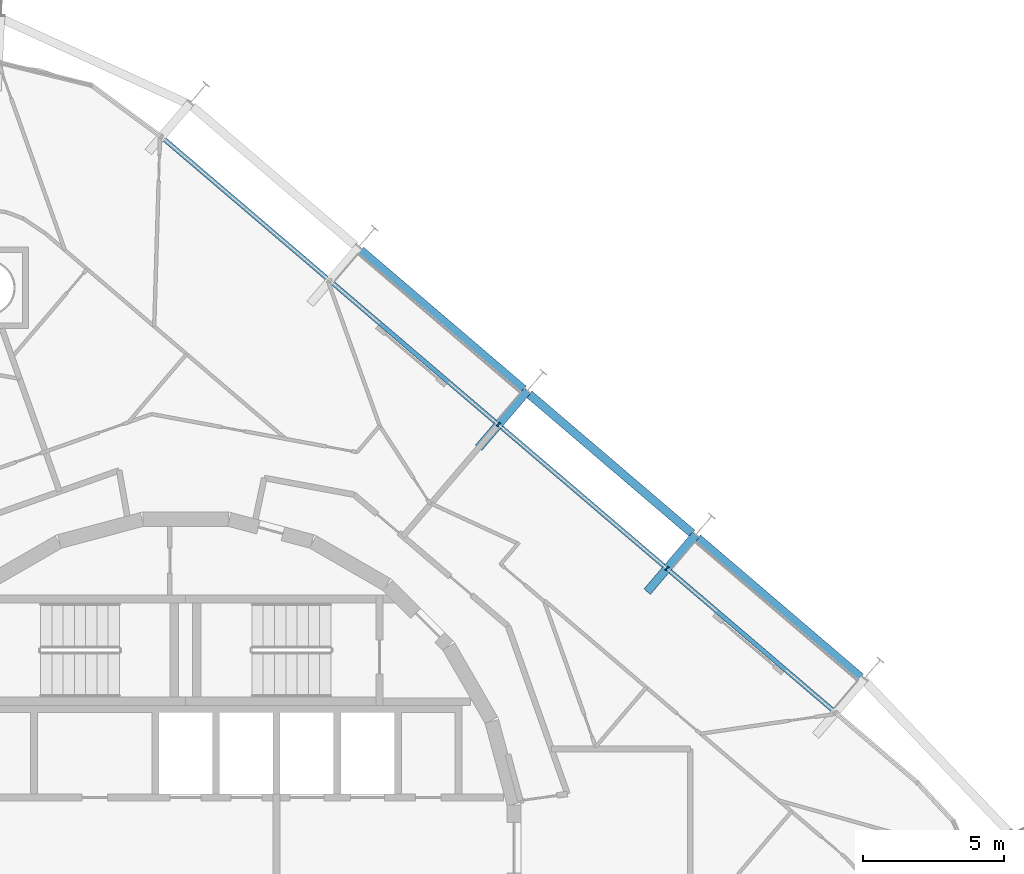
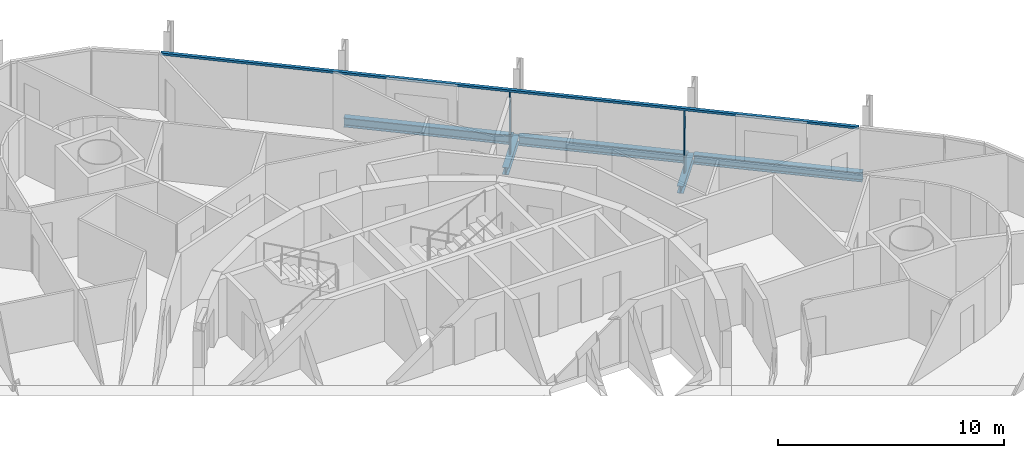
# One storey, part 8 of 17: 5 beams, 3 members, 1 element without a shape of its own.
"""IFC4 building model written with IfcOpenShell, lengths in metres."""

import ifcopenshell
import ifcopenshell.guid

model = None  # the IFC model being written
_history = None  # IfcOwnerHistory: only IFC2X3 demands one
_inside = {}  # id of a spatial element -> (the spatial element, [elements in it])
_under = {}  # id of a project, library or spatial element -> (it, [spatial elements below it])
_declared = {}  # id of a project -> (the project, [libraries it declares])
_typed = {}  # id of a type object -> (the type object, [elements of that type])
_made_of = {}  # id of a material, layer set ... -> (it, [elements and type objects made of it])


def new_model(schema):
    """Start an empty IFC model of exactly this schema.

    Asked for "IFC4X3", IfcOpenShell would pick the latest addendum, in which some entities
    have other attributes; the version numbers below select the first issue.
    IFC2X3 requires an IfcOwnerHistory on every rooted entity: one is made here for all.
    """
    global model, _history
    if schema == "IFC4X3":
        model = ifcopenshell.file(schema_version=(4, 3, 0, 0))
    else:
        model = ifcopenshell.file(schema=schema)
    _inside.clear()
    _under.clear()
    _declared.clear()
    _typed.clear()
    _made_of.clear()
    _history = None
    if model.schema == "IFC2X3":
        org = make("IfcOrganization", Name="unknown")
        user = make(
            "IfcPersonAndOrganization",
            ThePerson=make("IfcPerson", FamilyName="unknown"),
            TheOrganization=org,
        )
        app = make(
            "IfcApplication",
            ApplicationDeveloper=org,
            Version="unknown",
            ApplicationFullName="unknown",
            ApplicationIdentifier="unknown",
        )
        _history = make(
            "IfcOwnerHistory",
            OwningUser=user,
            OwningApplication=app,
            ChangeAction="ADDED",
            CreationDate=0,
        )
    return model


def make(cls, **values):
    """One entity of the class cls with the attributes given. An attribute that is None is left unset."""
    return model.create_entity(
        cls, **{name: value for name, value in values.items() if value is not None}
    )


def rooted(cls, **values):
    """An entity with a GlobalId (a new one), such as an element, a storey or a relation."""
    return make(cls, GlobalId=ifcopenshell.guid.new(), OwnerHistory=_history, **values)


def si_unit(unit_type, name, prefix=None):
    """IfcSIUnit, for example si_unit("LENGTHUNIT", "METRE", prefix="MILLI")."""
    return make("IfcSIUnit", UnitType=unit_type, Prefix=prefix, Name=name)


def assignment(units):
    """IfcUnitAssignment: the units of a project."""
    return None if units is None else make("IfcUnitAssignment", Units=units)


def point(xyz):
    """IfcCartesianPoint."""
    return None if xyz is None else make("IfcCartesianPoint", Coordinates=xyz)


def direction(xyz):
    """IfcDirection."""
    return None if xyz is None else make("IfcDirection", DirectionRatios=xyz)


def frame(location, z_axis=None, x_axis=None):
    """IfcAxis2Placement3D, a coordinate frame: its origin and axes. An axis left out is left unset."""
    return make(
        "IfcAxis2Placement3D",
        Location=point(location),
        Axis=direction(z_axis),
        RefDirection=direction(x_axis),
    )


def frame_2d(location, x_axis=None):
    """IfcAxis2Placement2D, a coordinate frame in the plane: its origin and x axis."""
    return make(
        "IfcAxis2Placement2D", Location=point(location), RefDirection=direction(x_axis)
    )


def origin():
    """The frame at (0, 0, 0) with its axes left unset."""
    return frame((0.0, 0.0, 0.0))


def origin_2d():
    """The frame at (0, 0) in the plane with its x axis left unset."""
    return frame_2d((0.0, 0.0))


def place(relative_to, where):
    """IfcLocalPlacement: puts the frame where relative to a parent placement (None: the world)."""
    return make(
        "IfcLocalPlacement", PlacementRelTo=relative_to, RelativePlacement=where
    )


def context(
    kind, dimensions, precision=None, world=None, true_north=None, identifier=None
):
    """IfcGeometricRepresentationContext, for example the 3D "Model" context."""
    return make(
        "IfcGeometricRepresentationContext",
        ContextIdentifier=identifier,
        ContextType=kind,
        CoordinateSpaceDimension=dimensions,
        Precision=precision,
        WorldCoordinateSystem=world,
        TrueNorth=true_north,
    )


def subcontext(parent, identifier, kind, view, scale=None):
    """IfcGeometricRepresentationSubContext, for example "Body" below "Model"."""
    return make(
        "IfcGeometricRepresentationSubContext",
        ContextIdentifier=identifier,
        ContextType=kind,
        ParentContext=parent,
        TargetScale=scale,
        TargetView=view,
    )


def project(units=None, contexts=None):
    """IfcProject with its units and contexts."""
    return rooted(
        "IfcProject",
        Name="project",
        RepresentationContexts=contexts,
        UnitsInContext=assignment(units),
    )


def spatial(cls, under=None, at=None, **own):
    """A site, building, storey or space (cls), placed at a placement, below another one or the project."""
    s = rooted(cls, ObjectPlacement=at, **own)
    if under is not None:
        _under.setdefault(under.id(), (under, []))[1].append(s)
    return s


def profile(cls, at=None, kind="AREA", **sizes):
    """A parametric profile (cls). Its sizes go by their IFC names, for example OverallWidth=200.0."""
    return make(cls, ProfileType=kind, Position=at, **sizes)


def rectangle(**sizes):
    """IfcRectangleProfileDef."""
    return profile("IfcRectangleProfileDef", **sizes)


def i_section(**sizes):
    """IfcIShapeProfileDef."""
    return profile("IfcIShapeProfileDef", **sizes)


def extrude(swept, where, along, depth):
    """IfcExtrudedAreaSolid: the profile swept, set in the frame where, extruded along a direction by depth."""
    return make(
        "IfcExtrudedAreaSolid",
        SweptArea=swept,
        Position=where,
        ExtrudedDirection=direction(along),
        Depth=depth,
    )


def shape(context_of_items, identifier, shape_type, items):
    """IfcShapeRepresentation: the items that make up one representation, for example the "Body"."""
    return make(
        "IfcShapeRepresentation",
        ContextOfItems=context_of_items,
        RepresentationIdentifier=identifier,
        RepresentationType=shape_type,
        Items=items,
    )


def material(Name=None, Category=None):
    """IfcMaterial."""
    return make("IfcMaterial", Name=Name, Category=Category)


def layer(
    of_material, thickness, ventilated=None, Name=None, Category=None, Priority=None
):
    """IfcMaterialLayer: one layer of a wall or slab, of a material (None: an air gap)."""
    return make(
        "IfcMaterialLayer",
        Material=of_material,
        LayerThickness=thickness,
        IsVentilated=ventilated,
        Name=Name,
        Category=Category,
        Priority=Priority,
    )


def layer_set(layers, Name=None):
    """IfcMaterialLayerSet."""
    return make("IfcMaterialLayerSet", MaterialLayers=layers, LayerSetName=Name)


def material_profile(
    of_material, cross_section, Name=None, Category=None, Priority=None
):
    """IfcMaterialProfile: a cross section and its material."""
    return make(
        "IfcMaterialProfile",
        Name=Name,
        Material=of_material,
        Profile=cross_section,
        Priority=Priority,
        Category=Category,
    )


def profile_set(profiles, Name=None, composite=None):
    """IfcMaterialProfileSet."""
    return make(
        "IfcMaterialProfileSet",
        Name=Name,
        MaterialProfiles=profiles,
        CompositeProfile=composite,
    )


def made_of(thing, what):
    """Note that an element or type object is made of a material, layer set ...; save() writes the relation."""
    if what is not None:
        _made_of.setdefault(what.id(), (what, []))[1].append(thing)
    return thing


def type_object(cls, material=None, **own):
    """A type object (cls), such as IfcWallType, which elements share."""
    return made_of(rooted(cls, **own), material)


def element(
    cls,
    number,
    at=None,
    inside=None,
    cuts=None,
    type_object=None,
    material=None,
    context=None,
    identifier="Body",
    shape_type=None,
    held_by="IfcProductDefinitionShape",
    body=None,
    shapes=None,
    **own,
):
    """One element of the class cls, such as IfcWall. Its Tag is "e" and its number.

    at: its placement. inside: the storey or other place that contains it. cuts: it is an
    opening in that element (IfcRelVoidsElement). A single representation is given by context,
    identifier, shape_type and body (its items); several are given by shapes. held_by: the class
    of the entity that holds the representations. save() writes the other relations.
    """
    e = rooted(cls, Tag="e%d" % number, ObjectPlacement=at, **own)
    if body is not None:
        shapes = [shape(context, identifier, shape_type, body)]
    if shapes is not None:
        e.Representation = make(held_by, Representations=shapes)
    if inside is not None:
        _inside.setdefault(inside.id(), (inside, []))[1].append(e)
    if cuts is not None:
        rooted(
            "IfcRelVoidsElement", RelatingBuildingElement=cuts, RelatedOpeningElement=e
        )
    if type_object is not None:
        _typed.setdefault(type_object.id(), (type_object, []))[1].append(e)
    return made_of(e, material)


def aggregate(whole, parts):
    """IfcRelAggregates: a whole, such as a stair, and the parts it consists of."""
    return rooted("IfcRelAggregates", RelatingObject=whole, RelatedObjects=parts)


def save(model, path):
    """Write the relations noted so far, then the file.

    IfcRelAggregates (storeys below a building ...), IfcRelContainedInSpatialStructure (elements
    in a storey), IfcRelDefinesByType, IfcRelAssociatesMaterial and IfcRelDeclares: one each for
    every whole, place, type object, material and project.
    """
    for whole, parts in _under.values():
        aggregate(whole, parts)
    for where, things in _inside.values():
        rooted(
            "IfcRelContainedInSpatialStructure",
            RelatedElements=things,
            RelatingStructure=where,
        )
    for kind, things in _typed.values():
        rooted("IfcRelDefinesByType", RelatedObjects=things, RelatingType=kind)
    for what, things in _made_of.values():
        rooted("IfcRelAssociatesMaterial", RelatedObjects=things, RelatingMaterial=what)
    for by, libraries in _declared.values():
        rooted("IfcRelDeclares", RelatingContext=by, RelatedDefinitions=libraries)
    model.write(path)


model = new_model("IFC4")

# Units and contexts
model_context = context("Model", 3, precision=1e-05, world=origin(), true_north=direction((0.0, 1.0)))
body_context = subcontext(model_context, "Body", "Model", "MODEL_VIEW")
ifc_project = project(units=[si_unit("LENGTHUNIT", "METRE"), si_unit("AREAUNIT", "SQUARE_METRE"), si_unit("VOLUMEUNIT", "CUBIC_METRE"), si_unit("PLANEANGLEUNIT", "RADIAN"), si_unit("MASSUNIT", "GRAM", prefix="KILO")], contexts=[model_context])

# Site, building, storey
site_placement = place(None, origin())
site = spatial("IfcSite", under=ifc_project, at=site_placement, CompositionType="ELEMENT")
building_placement = place(site_placement, origin())
building = spatial("IfcBuilding", under=site, at=building_placement, Name="Spindle Arch Residences", CompositionType="ELEMENT")
storey_placement = place(building_placement, frame((0.0, 0.0, 162.199951171875)))
storey = spatial("IfcBuildingStorey", under=building, at=storey_placement, Name="L40", CompositionType="ELEMENT", Elevation=162.199951171875)

# Curtain wall, members
ifc_material_1 = material(Name="Aluminium bronze unitised frame with tinted glass", Category="aluminium")
ifc_layer = layer(ifc_material_1, 0.159912109375)
ifc_layer_set = layer_set([ifc_layer], Name="CW-C typical residential unitised wall")
curtain_wall_type = type_object("IfcCurtainWallType", Name="CW-C typical residential unitised wall", PredefinedType="NOTDEFINED", material=ifc_layer_set)
curtain_wall_placement = place(storey_placement, origin())
curtain_wall = element("IfcCurtainWall", 1, at=curtain_wall_placement, inside=storey, type_object=curtain_wall_type, Name="CW-C L40 run 2", PredefinedType="NOTDEFINED")
ifc_material_2 = material(Name="Aluminium bronze anodised mullion", Category="aluminium")
ifc_material_profile_1 = material_profile(ifc_material_2, rectangle(XDim=0.159912109375, YDim=0.06005859375, at=origin_2d()), Name="MU 60x160")
ifc_profile_set_1 = profile_set([ifc_material_profile_1], Name="Aluminium bronze anodised mullion")
member_type_1 = type_object("IfcMemberType", Name="Bronze mullion 60x160", PredefinedType="MULLION", material=ifc_profile_set_1)
member_1_placement = place(storey_placement, frame((17.06884765625, 9.8994140625, -0.3798828125), z_axis=(0.0, 0.0, 1.0), x_axis=(-0.64944804833, -0.7604059656, 0.0)))
member_1 = element("IfcMember", 2, at=member_1_placement, type_object=member_type_1, Name="CW-C mullion 06", PredefinedType="MULLION", context=body_context, shape_type="SweptSolid", body=[
    extrude(rectangle(XDim=0.159912109375, YDim=0.06005859375, at=origin_2d()), origin(), (0.0, 0.0, 1.0), 3.3798828125),
])
member_2_placement = place(storey_placement, frame((11.092041015625, 15.004150390625, -0.3798828125), z_axis=(0.0, 0.0, 1.0), x_axis=(-0.64944804833, -0.7604059656, 0.0)))
member_2 = element("IfcMember", 3, at=member_2_placement, type_object=member_type_1, Name="CW-C mullion 07", PredefinedType="MULLION", context=body_context, shape_type="SweptSolid", body=[
    extrude(rectangle(XDim=0.159912109375, YDim=0.06005859375, at=origin_2d()), origin(), (0.0, 0.0, 1.0), 3.3798828125),
])
ifc_material_3 = material(Name="Aluminium bronze anodised transom", Category="aluminium")
ifc_material_profile_2 = material_profile(ifc_material_3, rectangle(XDim=0.159912109375, YDim=0.1201171875, at=origin_2d()), Name="TR 120x160")
ifc_profile_set_2 = profile_set([ifc_material_profile_2], Name="Aluminium bronze anodised transom")
member_type_2 = type_object("IfcMemberType", Name="Bronze transom 120x160", PredefinedType="USERDEFINED", material=ifc_profile_set_2)
member_3_placement = place(storey_placement, frame((23.02294921875, 4.814208984375, 3.06005859375), z_axis=(-0.760406495952, 0.649447427368, 0.0), x_axis=(-0.649447427368, -0.760406495952, 0.0)))
member_3 = element("IfcMember", 4, at=member_3_placement, type_object=member_type_2, Name="CW-C transom 00", ObjectType="TRANSOM", PredefinedType="USERDEFINED", context=body_context, shape_type="SweptSolid", body=[
    extrude(rectangle(XDim=0.159912109375, YDim=0.1201171875, at=origin_2d()), origin(), (0.0, 0.0, 1.0), 31.38037109375),
])
aggregate(curtain_wall, [member_3, member_1, member_2])

# Beams
ifc_material_4 = material(Name="Steel S460ML, intumescent coating R 120", Category="steel")
ifc_material_profile_3 = material_profile(ifc_material_4, i_section(OverallWidth=0.300048828125, OverallDepth=0.5, WebThickness=0.014404296875, FlangeThickness=0.028076171875, FilletRadius=0.027099609375, at=origin_2d()), Name="HEB 500")
ifc_profile_set_3 = profile_set([ifc_material_profile_3], Name="Steel S460ML, intumescent coating R 120")
beam_type_1 = type_object("IfcBeamType", Name="Exoskeleton edge beam HEB 500", PredefinedType="BEAM", material=ifc_profile_set_3)
for number, where, z_axis, x_axis, name in (
    (5, (23.9404296875, 6.04248046875, -0.6298828125), (-0.760389211598, 0.649467664234, 0.0), (-0.649467664234, -0.760389211598, 0.0), "Exoskeleton edge beam 6"),
    (6, (17.963623046875, 11.147216796875, -0.6298828125), (-0.760389211598, 0.649467664234, 0.0), (-0.649467664234, -0.760389211598, 0.0), "Exoskeleton edge beam 7"),
):
    element("IfcBeam", number, at=place(storey_placement, frame(where, z_axis=z_axis, x_axis=x_axis)), inside=storey, type_object=beam_type_1, Name=name, PredefinedType="BEAM", context=body_context, shape_type="SweptSolid", body=[
        extrude(i_section(OverallWidth=0.300048828125, OverallDepth=0.5, WebThickness=0.014404296875, FlangeThickness=0.028076171875, FilletRadius=0.027099609375, at=origin_2d()), origin(), (0.0, 0.0, 1.0), 7.60009765625),
    ])
beam_placement = place(storey_placement, frame((11.98681640625, 16.251953125, -0.6298828125), z_axis=(-0.760402760949, 0.649451800476, 0.0), x_axis=(-0.649451800476, -0.760402760949, 0.0)))
element("IfcBeam", 7, at=beam_placement, inside=storey, type_object=beam_type_1, Name="Exoskeleton edge beam 8", PredefinedType="BEAM", context=body_context, shape_type="SweptSolid", body=[
    extrude(i_section(OverallWidth=0.300048828125, OverallDepth=0.5, WebThickness=0.014404296875, FlangeThickness=0.028076171875, FilletRadius=0.027099609375, at=origin_2d()), origin(), (0.0, 0.0, 1.0), 7.600341796875),
])
ifc_material_5 = material(Name="Steel S460ML, intumescent coating R 120", Category="steel")
ifc_material_profile_4 = material_profile(ifc_material_5, i_section(OverallWidth=0.300048828125, OverallDepth=0.389892578125, WebThickness=0.010986328125, FlangeThickness=0.01904296875, FilletRadius=0.027099609375, at=origin_2d()), Name="HEA 400")
ifc_profile_set_4 = profile_set([ifc_material_profile_4], Name="Steel S460ML, intumescent coating R 120")
beam_type_2 = type_object("IfcBeamType", Name="Floor outrigger HEA 400", PredefinedType="BEAM", material=ifc_profile_set_4)
for number, where, z_axis, x_axis, name in (
    (8, (18.08837890625, 11.09326171875, -0.574951171875), (-0.64941704551, -0.760432443417, 0.0), (0.760432443417, -0.64941704551, 0.0), "Floor outrigger 7"),
    (9, (12.111572265625, 16.197998046875, -0.574951171875), (-0.64941704551, -0.760432443417, 0.0), (0.760432443417, -0.64941704551, 0.0), "Floor outrigger 8"),
):
    element("IfcBeam", number, at=place(storey_placement, frame(where, z_axis=z_axis, x_axis=x_axis)), inside=storey, type_object=beam_type_2, Name=name, PredefinedType="BEAM", context=body_context, shape_type="SweptSolid", body=[
        extrude(i_section(OverallWidth=0.300048828125, OverallDepth=0.389892578125, WebThickness=0.010986328125, FlangeThickness=0.01904296875, FilletRadius=0.027099609375, at=origin_2d()), origin(), (0.0, 0.0, 1.0), 2.64990234375),
    ])

save(model, "model.ifc")
